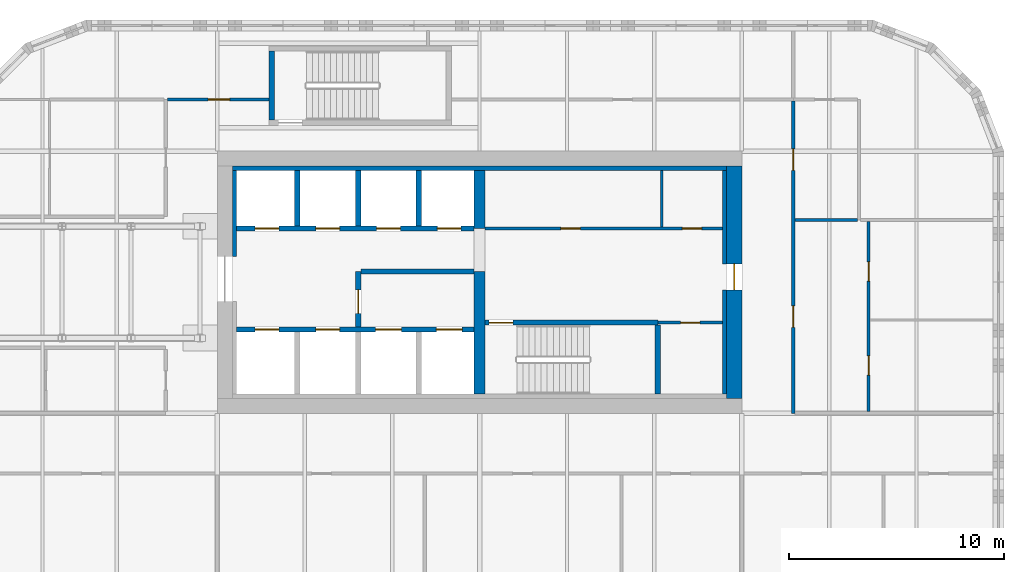
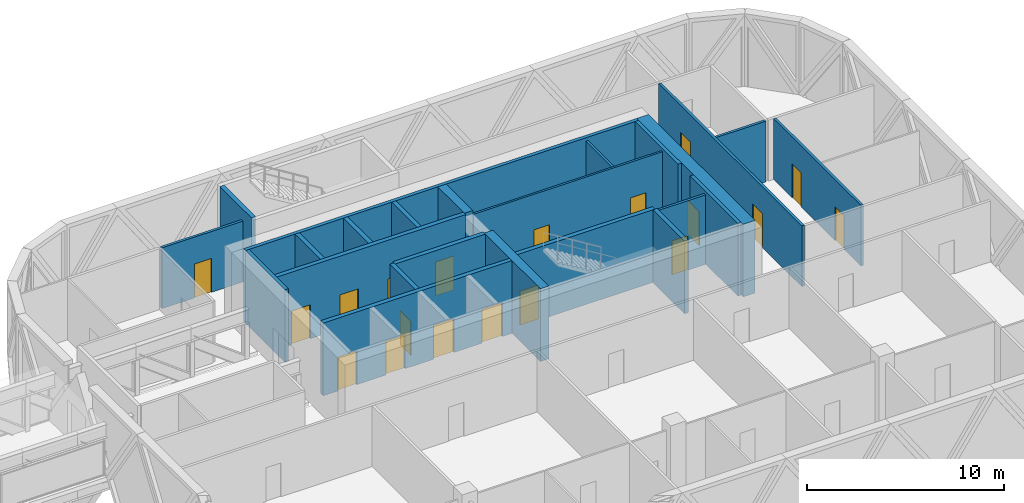
# One storey, part 24 of 30: 24 walls, 19 doors, 19 openings.
"""IFC4 building model written with IfcOpenShell, lengths in metres."""

from ifc_helpers import new_model, si_unit, direction, frame, frame_2d, origin, place, context, subcontext, project, spatial, rectangle, extrude, source, transform, mapped, material, layer, layer_set, type_object, element, fill, save


model = new_model("IFC4")

# Units and contexts
model_context = context("Model", 3, precision=1e-05, world=origin(), true_north=direction((0.0, 1.0)))
body_context = subcontext(model_context, "Body", "Model", "MODEL_VIEW")
ifc_project = project(units=[si_unit("LENGTHUNIT", "METRE"), si_unit("AREAUNIT", "SQUARE_METRE"), si_unit("VOLUMEUNIT", "CUBIC_METRE"), si_unit("PLANEANGLEUNIT", "RADIAN"), si_unit("MASSUNIT", "GRAM", prefix="KILO")], contexts=[model_context])

# Site, building, storey
site_placement = place(None, origin())
site = spatial("IfcSite", under=ifc_project, at=site_placement, CompositionType="ELEMENT")
building_placement = place(site_placement, origin())
building = spatial("IfcBuilding", under=site, at=building_placement, Name="Tessera Gate Towers", CompositionType="ELEMENT")
storey_placement = place(building_placement, frame((0.0, 0.0, 21.300048828125)))
storey = spatial("IfcBuildingStorey", under=building, at=storey_placement, Name="L04", CompositionType="ELEMENT", Elevation=21.300048828125)

# Wall, openings, doors
ifc_material_1 = material(Name="Concrete C40/50", Category="concrete")
ifc_layer_1 = layer(ifc_material_1, 0.25)
ifc_layer_set_1 = layer_set([ifc_layer_1], Name="CORE ENCLOSURE WALL 250")
wall_type_1 = type_object("IfcWallType", Name="CORE ENCLOSURE WALL 250", PredefinedType="SOLIDWALL", material=ifc_layer_set_1)
wall_1_placement = place(storey_placement, frame((98.5, 40.5, 0.0), z_axis=(0.0, 0.0, 1.0), x_axis=(1.0, 0.0, 0.0)))
wall_1 = element("IfcWall", 1, at=wall_1_placement, inside=storey, type_object=wall_type_1, Name="L04 shaft and stair enclosure wall", PredefinedType="SOLIDWALL", context=body_context, shape_type="SweptSolid", body=[
    extrude(rectangle(XDim=11.050048828125, YDim=0.25, at=frame_2d((5.52490234375, 0.0))), origin(), (0.0, 0.0, 1.0), 4.5),
])
shared_shape_1 = source(origin(), body_context, "Body", "SweptSolid", [
    extrude(rectangle(XDim=1.10009765625, YDim=2.10009765625, at=frame_2d((0.550048828125, 1.050048828125))), frame((0.0, 0.135009765625, 0.0), z_axis=(0.0, -1.0, 0.0), x_axis=(1.0, 0.0, 0.0)), (0.0, 0.0, 1.0), 0.27001953125),
])
opening_1_placement = place(wall_1_placement, frame((0.862548828125, 0.0, 0.0)))
opening_1 = element("IfcOpeningElement", 2, at=opening_1_placement, cuts=wall_1, Name="Opening LD-TL1", PredefinedType="OPENING", context=body_context, shape_type="MappedRepresentation", body=[
    mapped(shared_shape_1, transform((0.0, 0.0, 0.0), scale=1.0)),
])
opening_2_placement = place(wall_1_placement, frame((3.6875, 0.0, 0.0)))
opening_2 = element("IfcOpeningElement", 3, at=opening_2_placement, cuts=wall_1, Name="Opening LD-TL2", PredefinedType="OPENING", context=body_context, shape_type="MappedRepresentation", body=[
    mapped(shared_shape_1, transform((0.0, 0.0, 0.0), scale=1.0)),
])
shared_shape_2 = source(origin(), body_context, "Body", "SweptSolid", [
    extrude(rectangle(XDim=1.199951171875, YDim=2.10009765625, at=frame_2d((0.60009765625, 1.050048828125))), frame((0.0, 0.135009765625, 0.0), z_axis=(0.0, -1.0, 0.0), x_axis=(1.0, 0.0, 0.0)), (0.0, 0.0, 1.0), 0.27001953125),
])
opening_3_placement = place(wall_1_placement, frame((6.46240234375, 0.0, 0.0)))
opening_3 = element("IfcOpeningElement", 4, at=opening_3_placement, cuts=wall_1, Name="Opening LD-FF3", PredefinedType="OPENING", context=body_context, shape_type="MappedRepresentation", body=[
    mapped(shared_shape_2, transform((0.0, 0.0, 0.0), scale=1.0)),
])
opening_4_placement = place(wall_1_placement, frame((9.28759765625, 0.0, 0.0)))
opening_4 = element("IfcOpeningElement", 5, at=opening_4_placement, cuts=wall_1, Name="Opening LD-FF4", PredefinedType="OPENING", context=body_context, shape_type="MappedRepresentation", body=[
    mapped(shared_shape_2, transform((0.0, 0.0, 0.0), scale=1.0)),
])
ifc_material_2 = material(Name="Stainless steel", Category="steel")
door_type_1 = type_object("IfcDoorType", Name="CORE DOOR LD1200 1200x2100", OperationType="DOUBLE_DOOR_SLIDING", PredefinedType="DOOR", material=ifc_material_2)
shared_shape_3 = source(origin(), body_context, "Body", "SweptSolid", [
    extrude(rectangle(XDim=1.199951171875, YDim=2.10009765625, at=frame_2d((0.60009765625, 1.050048828125))), frame((0.0, 0.02490234375, 0.0), z_axis=(0.0, -1.0, 0.0), x_axis=(1.0, 0.0, 0.0)), (0.0, 0.0, 1.0), 0.050048828125),
])
door_1_placement = place(opening_3_placement, origin())
door_1 = element("IfcDoor", 6, at=door_1_placement, inside=storey, type_object=door_type_1, Name="Landing door FF3 L04", OperationType="DOUBLE_DOOR_SLIDING", OverallHeight=2.10009765625, OverallWidth=1.199951171875, PredefinedType="DOOR", context=body_context, shape_type="MappedRepresentation", body=[
    mapped(shared_shape_3, transform((0.0, 0.0, 0.0), scale=1.0)),
])
fill(opening_3, door_1)
door_2_placement = place(opening_4_placement, origin())
door_2 = element("IfcDoor", 7, at=door_2_placement, inside=storey, type_object=door_type_1, Name="Landing door FF4 L04", OperationType="DOUBLE_DOOR_SLIDING", OverallHeight=2.10009765625, OverallWidth=1.199951171875, PredefinedType="DOOR", context=body_context, shape_type="MappedRepresentation", body=[
    mapped(shared_shape_3, transform((0.0, 0.0, 0.0), scale=1.0)),
])
fill(opening_4, door_2)
ifc_material_3 = material(Name="Stainless steel", Category="steel")
door_type_2 = type_object("IfcDoorType", Name="CORE DOOR LD 1100x2100", OperationType="DOUBLE_DOOR_SLIDING", PredefinedType="DOOR", material=ifc_material_3)
shared_shape_4 = source(origin(), body_context, "Body", "SweptSolid", [
    extrude(rectangle(XDim=1.10009765625, YDim=2.10009765625, at=frame_2d((0.550048828125, 1.050048828125))), frame((0.0, 0.02490234375, 0.0), z_axis=(0.0, -1.0, 0.0), x_axis=(1.0, 0.0, 0.0)), (0.0, 0.0, 1.0), 0.050048828125),
])
door_3_placement = place(opening_1_placement, origin())
door_3 = element("IfcDoor", 8, at=door_3_placement, inside=storey, type_object=door_type_2, Name="Landing door TL1 L04", OperationType="DOUBLE_DOOR_SLIDING", OverallHeight=2.10009765625, OverallWidth=1.10009765625, PredefinedType="DOOR", context=body_context, shape_type="MappedRepresentation", body=[
    mapped(shared_shape_4, transform((0.0, 0.0, 0.0), scale=1.0)),
])
fill(opening_1, door_3)
door_4_placement = place(opening_2_placement, origin())
door_4 = element("IfcDoor", 9, at=door_4_placement, inside=storey, type_object=door_type_2, Name="Landing door TL2 L04", OperationType="DOUBLE_DOOR_SLIDING", OverallHeight=2.10009765625, OverallWidth=1.10009765625, PredefinedType="DOOR", context=body_context, shape_type="MappedRepresentation", body=[
    mapped(shared_shape_4, transform((0.0, 0.0, 0.0), scale=1.0)),
])
fill(opening_2, door_4)

wall_2_placement = place(storey_placement, frame((109.550048828125, 45.199951171875, 0.0), z_axis=(0.0, 0.0, 1.0), x_axis=(-1.0, 0.0, 0.0)))
wall_2 = element("IfcWall", 10, at=wall_2_placement, inside=storey, type_object=wall_type_1, Name="L04 shaft and stair enclosure wall", PredefinedType="SOLIDWALL", context=body_context, shape_type="SweptSolid", body=[
    extrude(rectangle(XDim=11.050048828125, YDim=0.25, at=frame_2d((5.52490234375, 0.0))), origin(), (0.0, 0.0, 1.0), 4.5),
])
opening_5_placement = place(wall_2_placement, frame((9.08740234375, 0.0, 0.0)))
opening_5 = element("IfcOpeningElement", 11, at=opening_5_placement, cuts=wall_2, Name="Opening LD-TL3", PredefinedType="OPENING", context=body_context, shape_type="MappedRepresentation", body=[
    mapped(shared_shape_1, transform((0.0, 0.0, 0.0), scale=1.0)),
])
opening_6_placement = place(wall_2_placement, frame((6.262451171875, 0.0, 0.0)))
opening_6 = element("IfcOpeningElement", 12, at=opening_6_placement, cuts=wall_2, Name="Opening LD-TL4", PredefinedType="OPENING", context=body_context, shape_type="MappedRepresentation", body=[
    mapped(shared_shape_1, transform((0.0, 0.0, 0.0), scale=1.0)),
])
opening_7_placement = place(wall_2_placement, frame((3.4375, 0.0, 0.0)))
opening_7 = element("IfcOpeningElement", 13, at=opening_7_placement, cuts=wall_2, Name="Opening LD-TL5", PredefinedType="OPENING", context=body_context, shape_type="MappedRepresentation", body=[
    mapped(shared_shape_1, transform((0.0, 0.0, 0.0), scale=1.0)),
])
opening_8_placement = place(wall_2_placement, frame((0.612548828125, 0.0, 0.0)))
opening_8 = element("IfcOpeningElement", 14, at=opening_8_placement, cuts=wall_2, Name="Opening LD-TL6", PredefinedType="OPENING", context=body_context, shape_type="MappedRepresentation", body=[
    mapped(shared_shape_1, transform((0.0, 0.0, 0.0), scale=1.0)),
])
door_5_placement = place(opening_5_placement, origin())
door_5 = element("IfcDoor", 15, at=door_5_placement, inside=storey, type_object=door_type_2, Name="Landing door TL3 L04", OperationType="DOUBLE_DOOR_SLIDING", OverallHeight=2.10009765625, OverallWidth=1.10009765625, PredefinedType="DOOR", context=body_context, shape_type="MappedRepresentation", body=[
    mapped(shared_shape_4, transform((0.0, 0.0, 0.0), scale=1.0)),
])
fill(opening_5, door_5)
door_6_placement = place(opening_6_placement, origin())
door_6 = element("IfcDoor", 16, at=door_6_placement, inside=storey, type_object=door_type_2, Name="Landing door TL4 L04", OperationType="DOUBLE_DOOR_SLIDING", OverallHeight=2.10009765625, OverallWidth=1.10009765625, PredefinedType="DOOR", context=body_context, shape_type="MappedRepresentation", body=[
    mapped(shared_shape_4, transform((0.0, 0.0, 0.0), scale=1.0)),
])
fill(opening_6, door_6)
door_7_placement = place(opening_7_placement, origin())
door_7 = element("IfcDoor", 17, at=door_7_placement, inside=storey, type_object=door_type_2, Name="Landing door TL5 L04", OperationType="DOUBLE_DOOR_SLIDING", OverallHeight=2.10009765625, OverallWidth=1.10009765625, PredefinedType="DOOR", context=body_context, shape_type="MappedRepresentation", body=[
    mapped(shared_shape_4, transform((0.0, 0.0, 0.0), scale=1.0)),
])
fill(opening_7, door_7)
door_8_placement = place(opening_8_placement, origin())
door_8 = element("IfcDoor", 18, at=door_8_placement, inside=storey, type_object=door_type_2, Name="Landing door TL6 L04", OperationType="DOUBLE_DOOR_SLIDING", OverallHeight=2.10009765625, OverallWidth=1.10009765625, PredefinedType="DOOR", context=body_context, shape_type="MappedRepresentation", body=[
    mapped(shared_shape_4, transform((0.0, 0.0, 0.0), scale=1.0)),
])
fill(opening_8, door_8)

# Wall, opening, door
wall_3_placement = place(storey_placement, frame((118.10009765625, 40.824951171875, 0.0), z_axis=(0.0, 0.0, 1.0), x_axis=(-1.0, 0.0, 0.0)))
wall_3 = element("IfcWall", 19, at=wall_3_placement, inside=storey, type_object=wall_type_1, Name="L04 shaft and stair enclosure wall", PredefinedType="SOLIDWALL", context=body_context, shape_type="SweptSolid", body=[
    extrude(rectangle(XDim=8.050048828125, YDim=0.25, at=frame_2d((4.02490234375, 0.0))), origin(), (0.0, 0.0, 1.0), 4.5),
])
opening_9_placement = place(wall_3_placement, frame((6.75, 0.0, 0.0)))
opening_9 = element("IfcOpeningElement", 20, at=opening_9_placement, cuts=wall_3, Name="Opening SD-ST6-1", PredefinedType="OPENING", context=body_context, shape_type="MappedRepresentation", body=[
    mapped(shared_shape_1, transform((0.0, 0.0, 0.0), scale=1.0)),
])
ifc_material_4 = material(Name="Hollow steel fire door", Category="steel")
door_type_3 = type_object("IfcDoorType", Name="CORE DOOR SD1100 1100x2100", OperationType="NOTDEFINED", PredefinedType="DOOR", material=ifc_material_4)
door_9_placement = place(opening_9_placement, origin())
door_9 = element("IfcDoor", 21, at=door_9_placement, inside=storey, type_object=door_type_3, Name="Stair door", OperationType="SINGLE_SWING_RIGHT", OverallHeight=2.10009765625, OverallWidth=1.10009765625, PredefinedType="DOOR", context=body_context, shape_type="MappedRepresentation", body=[
    mapped(shared_shape_4, transform((0.0, 0.0, 0.0), scale=1.0)),
])
fill(opening_9, door_9)

wall_4_placement = place(storey_placement, frame((104.14990234375, 43.199951171875, 0.0), z_axis=(0.0, 0.0, 1.0), x_axis=(0.0, -1.0, 0.0)))
wall_4 = element("IfcWall", 22, at=wall_4_placement, inside=storey, type_object=wall_type_1, Name="L04 shaft and stair enclosure wall", PredefinedType="SOLIDWALL", context=body_context, shape_type="SweptSolid", body=[
    extrude(rectangle(XDim=2.574951171875, YDim=0.25, at=frame_2d((1.28759765625, 0.0))), origin(), (0.0, 0.0, 1.0), 4.5),
])
opening_10_placement = place(wall_4_placement, frame((0.85009765625, 0.0, 0.0)))
opening_10 = element("IfcOpeningElement", 23, at=opening_10_placement, cuts=wall_4, Name="Opening FD-T2-05-03", PredefinedType="OPENING", context=body_context, shape_type="MappedRepresentation", body=[
    mapped(shared_shape_1, transform((0.0, 0.0, 0.0), scale=1.0)),
])
ifc_material_5 = material(Name="Hollow steel fire door", Category="steel")
door_type_4 = type_object("IfcDoorType", Name="CORE DOOR FD 1100x2100", OperationType="NOTDEFINED", PredefinedType="DOOR", material=ifc_material_5)
door_10_placement = place(opening_10_placement, origin())
door_10 = element("IfcDoor", 24, at=door_10_placement, inside=storey, type_object=door_type_4, Name="Fire-fighting lobby door", OperationType="SINGLE_SWING_RIGHT", OverallHeight=2.10009765625, OverallWidth=1.10009765625, PredefinedType="DOOR", context=body_context, shape_type="MappedRepresentation", body=[
    mapped(shared_shape_4, transform((0.0, 0.0, 0.0), scale=1.0)),
])
fill(opening_10, door_10)

# Walls
wall_5_placement = place(storey_placement, frame((104.27490234375, 43.199951171875, 0.0), z_axis=(0.0, 0.0, 1.0), x_axis=(1.0, 0.0, 0.0)))
element("IfcWall", 25, at=wall_5_placement, inside=storey, type_object=wall_type_1, Name="L04 shaft and stair enclosure wall", PredefinedType="SOLIDWALL", context=body_context, shape_type="SweptSolid", body=[
    extrude(rectangle(XDim=5.275146484375, YDim=0.25, at=frame_2d((2.6376953125, 0.0))), origin(), (0.0, 0.0, 1.0), 4.5),
])
wall_6_placement = place(storey_placement, frame((118.10009765625, 37.5, 0.0), z_axis=(0.0, 0.0, 1.0), x_axis=(0.0, 1.0, 0.0)))
element("IfcWall", 26, at=wall_6_placement, inside=storey, type_object=wall_type_1, Name="L04 shaft and stair enclosure wall", PredefinedType="SOLIDWALL", context=body_context, shape_type="SweptSolid", body=[
    extrude(rectangle(XDim=3.199951171875, YDim=0.25, at=frame_2d((1.60009765625, 0.0))), origin(), (0.0, 0.0, 1.0), 4.5),
])
for number, where, z_axis, x_axis, name in (
    (27, (101.324951171875, 45.324951171875, 0.0), (0.0, 0.0, 1.0), (0.0, 1.0, 0.0), "L04 shaft and stair enclosure wall"),
    (28, (104.14990234375, 45.324951171875, 0.0), (0.0, 0.0, 1.0), (0.0, 1.0, 0.0), "L04 shaft and stair enclosure wall"),
    (29, (106.97509765625, 45.324951171875, 0.0), (0.0, 0.0, 1.0), (0.0, 1.0, 0.0), "L04 shaft and stair enclosure wall"),
):
    element("IfcWall", number, at=place(storey_placement, frame(where, z_axis=z_axis, x_axis=x_axis)), inside=storey, type_object=wall_type_1, Name=name, PredefinedType="SOLIDWALL", context=body_context, shape_type="SweptSolid", body=[
        extrude(rectangle(XDim=2.574951171875, YDim=0.25, at=frame_2d((1.28759765625, 0.0))), origin(), (0.0, 0.0, 1.0), 4.5),
    ])
wall_7_placement = place(storey_placement, frame((100.125, 50.25, 0.0), z_axis=(0.0, 0.0, 1.0), x_axis=(0.0, 1.0, 0.0)))
element("IfcWall", 30, at=wall_7_placement, inside=storey, type_object=wall_type_1, Name="L04 ST7 enclosure wall", PredefinedType="SOLIDWALL", context=body_context, shape_type="SweptSolid", body=[
    extrude(rectangle(XDim=3.199951171875, YDim=0.25, at=frame_2d((1.60009765625, 0.0))), origin(), (0.0, 0.0, 1.0), 4.5),
])

# Wall, openings, doors
ifc_material_6 = material(Name="Gypsum board on steel studs", Category="steel")
ifc_layer_2 = layer(ifc_material_6, 0.1201171875)
ifc_layer_set_2 = layer_set([ifc_layer_2], Name="CORE PARTITION 120")
wall_type_2 = type_object("IfcWallType", Name="CORE PARTITION 120", PredefinedType="PARTITIONING", material=ifc_layer_set_2)
wall_8_placement = place(storey_placement, frame((110.050048828125, 45.199951171875, 0.0), z_axis=(0.0, 0.0, 1.0), x_axis=(1.0, 0.0, 0.0)))
wall_8 = element("IfcWall", 31, at=wall_8_placement, inside=storey, type_object=wall_type_2, Name="L04 core partition", PredefinedType="PARTITIONING", context=body_context, shape_type="SweptSolid", body=[
    extrude(rectangle(XDim=11.050048828125, YDim=0.1201171875, at=frame_2d((5.52490234375, 0.0))), origin(), (0.0, 0.0, 1.0), 4.300048828125),
])
shared_shape_5 = source(origin(), body_context, "Body", "SweptSolid", [
    extrude(rectangle(XDim=0.89990234375, YDim=2.10009765625, at=frame_2d((0.449951171875, 1.050048828125))), frame((0.0, 0.070068359375, 0.0), z_axis=(0.0, -1.0, 0.0), x_axis=(1.0, 0.0, 0.0)), (0.0, 0.0, 1.0), 0.14013671875),
])
opening_11_placement = place(wall_8_placement, frame((3.53759765625, 0.0, 0.0)))
opening_11 = element("IfcOpeningElement", 32, at=opening_11_placement, cuts=wall_8, Name="Opening RD-T2-05-04", PredefinedType="OPENING", context=body_context, shape_type="MappedRepresentation", body=[
    mapped(shared_shape_5, transform((0.0, 0.0, 0.0), scale=1.0)),
])
opening_12_placement = place(wall_8_placement, frame((9.1875, 0.0, 0.0)))
opening_12 = element("IfcOpeningElement", 33, at=opening_12_placement, cuts=wall_8, Name="Opening RD-T2-05-05", PredefinedType="OPENING", context=body_context, shape_type="MappedRepresentation", body=[
    mapped(shared_shape_5, transform((0.0, 0.0, 0.0), scale=1.0)),
])
ifc_material_7 = material(Name="Hollow steel fire door", Category="steel")
door_type_5 = type_object("IfcDoorType", Name="CORE DOOR RD 900x2100", OperationType="NOTDEFINED", PredefinedType="DOOR", material=ifc_material_7)
shared_shape_6 = source(origin(), body_context, "Body", "SweptSolid", [
    extrude(rectangle(XDim=0.89990234375, YDim=2.10009765625, at=frame_2d((0.449951171875, 1.050048828125))), frame((0.0, 0.02490234375, 0.0), z_axis=(0.0, -1.0, 0.0), x_axis=(1.0, 0.0, 0.0)), (0.0, 0.0, 1.0), 0.050048828125),
])
door_11_placement = place(opening_11_placement, origin())
door_11 = element("IfcDoor", 34, at=door_11_placement, inside=storey, type_object=door_type_5, Name="Core room door", OperationType="SINGLE_SWING_LEFT", OverallHeight=2.10009765625, OverallWidth=0.89990234375, PredefinedType="DOOR", context=body_context, shape_type="MappedRepresentation", body=[
    mapped(shared_shape_6, transform((0.0, 0.0, 0.0), scale=1.0)),
])
fill(opening_11, door_11)
door_12_placement = place(opening_12_placement, origin())
door_12 = element("IfcDoor", 35, at=door_12_placement, inside=storey, type_object=door_type_5, Name="Core room door", OperationType="SINGLE_SWING_RIGHT", OverallHeight=2.10009765625, OverallWidth=0.89990234375, PredefinedType="DOOR", context=body_context, shape_type="MappedRepresentation", body=[
    mapped(shared_shape_6, transform((0.0, 0.0, 0.0), scale=1.0)),
])
fill(opening_12, door_12)

# Wall
wall_9_placement = place(storey_placement, frame((118.27490234375, 45.260009765625, 0.0), z_axis=(0.0, 0.0, 1.0), x_axis=(0.0, 1.0, 0.0)))
element("IfcWall", 36, at=wall_9_placement, inside=storey, type_object=wall_type_2, Name="L04 core partition", PredefinedType="PARTITIONING", context=body_context, shape_type="SweptSolid", body=[
    extrude(rectangle(XDim=2.639892578125, YDim=0.1201171875, at=frame_2d((1.31982421875, 0.0))), origin(), (0.0, 0.0, 1.0), 4.300048828125),
])

# Wall, opening, door
ifc_material_8 = material(Name="Concrete C60/75", Category="concrete")
ifc_layer_3 = layer(ifc_material_8, 0.699951171875)
ifc_layer_set_3 = layer_set([ifc_layer_3], Name="CORE SHEAR WALL 700 C60/75")
wall_type_3 = type_object("IfcWallType", Name="CORE SHEAR WALL 700 C60/75", PredefinedType="SHEAR", material=ifc_layer_set_3)
wall_10_placement = place(storey_placement, frame((121.64990234375, 48.10009765625, 0.0), z_axis=(0.0, 0.0, 1.0), x_axis=(0.0, -1.0, 0.0)))
wall_10 = element("IfcWall", 37, at=wall_10_placement, inside=storey, type_object=wall_type_3, Name="Core wall E L04", PredefinedType="SHEAR", context=body_context, shape_type="SweptSolid", body=[
    extrude(rectangle(XDim=10.800048828125, YDim=0.699951171875, at=frame_2d((5.39990234375, 0.0))), origin(), (0.0, 0.0, 1.0), 4.5),
])
shared_shape_7 = source(origin(), body_context, "Body", "SweptSolid", [
    extrude(rectangle(XDim=1.199951171875, YDim=2.10009765625, at=frame_2d((0.60009765625, 1.050048828125))), frame((0.0, 0.35986328125, 0.0), z_axis=(0.0, -1.0, 0.0), x_axis=(1.0, 0.0, 0.0)), (0.0, 0.0, 1.0), 0.719970703125),
])
opening_13_placement = place(wall_10_placement, frame((4.550048828125, 0.0, 0.0)))
opening_13 = element("IfcOpeningElement", 38, at=opening_13_placement, cuts=wall_10, Name="Opening ED-T2-05-02", PredefinedType="OPENING", context=body_context, shape_type="MappedRepresentation", body=[
    mapped(shared_shape_7, transform((0.0, 0.0, 0.0), scale=1.0)),
])
ifc_material_9 = material(Name="Hollow steel fire door", Category="steel")
door_type_6 = type_object("IfcDoorType", Name="CORE DOOR ED 1200x2100", OperationType="NOTDEFINED", PredefinedType="DOOR", material=ifc_material_9)
door_13_placement = place(opening_13_placement, origin())
door_13 = element("IfcDoor", 39, at=door_13_placement, inside=storey, type_object=door_type_6, Name="Core exit door", OperationType="SINGLE_SWING_LEFT", OverallHeight=2.10009765625, OverallWidth=1.199951171875, PredefinedType="DOOR", context=body_context, shape_type="MappedRepresentation", body=[
    mapped(shared_shape_3, transform((0.0, 0.0, 0.0), scale=1.0)),
])
fill(opening_13, door_13)

# Walls
ifc_material_10 = material(Name="Concrete C60/75", Category="concrete")
ifc_layer_4 = layer(ifc_material_10, 0.5)
ifc_layer_set_4 = layer_set([ifc_layer_4], Name="CORE SPINE WALL 500 C60/75")
wall_type_4 = type_object("IfcWallType", Name="CORE SPINE WALL 500 C60/75", PredefinedType="SHEAR", material=ifc_layer_set_4)
wall_11_placement = place(storey_placement, frame((109.800048828125, 37.5, 0.0), z_axis=(0.0, 0.0, 1.0), x_axis=(0.0, 1.0, 0.0)))
element("IfcWall", 40, at=wall_11_placement, inside=storey, type_object=wall_type_4, Name="Core wall spine L04", PredefinedType="SHEAR", context=body_context, shape_type="SweptSolid", body=[
    extrude(rectangle(XDim=5.699951171875, YDim=0.5, at=frame_2d((2.85009765625, 0.0))), origin(), (0.0, 0.0, 1.0), 4.5),
])
wall_12_placement = place(storey_placement, frame((109.800048828125, 45.199951171875, 0.0), z_axis=(0.0, 0.0, 1.0), x_axis=(0.0, 1.0, 0.0)))
element("IfcWall", 41, at=wall_12_placement, inside=storey, type_object=wall_type_4, Name="Core wall spine L04", PredefinedType="SHEAR", context=body_context, shape_type="SweptSolid", body=[
    extrude(rectangle(XDim=2.699951171875, YDim=0.5, at=frame_2d((1.35009765625, 0.0))), origin(), (0.0, 0.0, 1.0), 4.5),
])
ifc_material_11 = material(Name="Concrete C60/75", Category="concrete")
ifc_layer_5 = layer(ifc_material_11, 0.199951171875)
ifc_layer_set_5 = layer_set([ifc_layer_5], Name="CORE WALL THICKENING 200")
wall_type_5 = type_object("IfcWallType", Name="CORE WALL THICKENING 200", PredefinedType="SOLIDWALL", material=ifc_layer_set_5)
wall_13_placement = place(storey_placement, frame((98.300048828125, 48.0, 0.0), z_axis=(0.0, 0.0, 1.0), x_axis=(1.0, 0.0, 0.0)))
element("IfcWall", 42, at=wall_13_placement, inside=storey, type_object=wall_type_5, Name="Core wall thickening N L04", PredefinedType="SOLIDWALL", context=body_context, shape_type="SweptSolid", body=[
    extrude(rectangle(XDim=23.0, YDim=0.199951171875, at=frame_2d((11.5, 0.0))), origin(), (0.0, 0.0, 1.0), 4.5),
])
wall_14_placement = place(storey_placement, frame((98.39990234375, 43.89990234375, 0.0), z_axis=(0.0, 0.0, 1.0), x_axis=(0.0, 1.0, 0.0)))
element("IfcWall", 43, at=wall_14_placement, inside=storey, type_object=wall_type_5, Name="Core wall thickening W L04", PredefinedType="SOLIDWALL", context=body_context, shape_type="SweptSolid", body=[
    extrude(rectangle(XDim=4.0, YDim=0.199951171875, at=frame_2d((2.0, 0.0))), origin(), (0.0, 0.0, 1.0), 4.5),
])
wall_15_placement = place(storey_placement, frame((121.199951171875, 37.5, 0.0), z_axis=(0.0, 0.0, 1.0), x_axis=(0.0, 1.0, 0.0)))
element("IfcWall", 44, at=wall_15_placement, inside=storey, type_object=wall_type_5, Name="Core wall thickening E L04", PredefinedType="SOLIDWALL", context=body_context, shape_type="SweptSolid", body=[
    extrude(rectangle(XDim=4.85009765625, YDim=0.199951171875, at=frame_2d((2.425048828125, 0.0))), origin(), (0.0, 0.0, 1.0), 4.5),
])
wall_16_placement = place(storey_placement, frame((121.199951171875, 43.550048828125, 0.0), z_axis=(0.0, 0.0, 1.0), x_axis=(0.0, 1.0, 0.0)))
element("IfcWall", 45, at=wall_16_placement, inside=storey, type_object=wall_type_5, Name="Core wall thickening E L04", PredefinedType="SOLIDWALL", context=body_context, shape_type="SweptSolid", body=[
    extrude(rectangle(XDim=4.349853515625, YDim=0.199951171875, at=frame_2d((2.1748046875, 0.0))), origin(), (0.0, 0.0, 1.0), 4.5),
])

# Wall, openings, doors
ifc_material_12 = material(Name="Gypsum board on steel studs, mineral wool", Category="steel")
ifc_layer_6 = layer(ifc_material_12, 0.14990234375)
ifc_layer_set_6 = layer_set([ifc_layer_6], Name="CORRIDOR WALL 150")
wall_type_6 = type_object("IfcWallType", Name="CORRIDOR WALL 150", PredefinedType="PARTITIONING", material=ifc_layer_set_6)
wall_17_placement = place(storey_placement, frame((124.39990234375, 51.1240234375, 0.0), z_axis=(0.0, 0.0, 1.0), x_axis=(0.0, -1.0, 0.0)))
wall_17 = element("IfcWall", 46, at=wall_17_placement, inside=storey, type_object=wall_type_6, Name="T2-L04-PW-025", PredefinedType="PARTITIONING", context=body_context, shape_type="SweptSolid", body=[
    extrude(rectangle(XDim=14.52392578125, YDim=0.14990234375, at=frame_2d((7.261962890625, 0.0))), origin(), (0.0, 0.0, 1.0), 3.766845703125),
])
shared_shape_8 = source(origin(), body_context, "Body", "SweptSolid", [
    extrude(rectangle(XDim=1.0, YDim=2.10009765625, at=frame_2d((0.5, 1.050048828125))), frame((0.0, 0.0849609375, 0.0), z_axis=(0.0, -1.0, 0.0), x_axis=(1.0, 0.0, 0.0)), (0.0, 0.0, 1.0), 0.169921875),
])
opening_14_placement = place(wall_17_placement, frame((2.222900390625, 0.0, 0.0)))
opening_14 = element("IfcOpeningElement", 47, at=opening_14_placement, cuts=wall_17, Name="Opening D2100FD60-B02-02", PredefinedType="OPENING", context=body_context, shape_type="MappedRepresentation", body=[
    mapped(shared_shape_8, transform((0.0, 0.0, 0.0), scale=1.0)),
])
opening_15_placement = place(wall_17_placement, frame((9.52392578125, 0.0, 0.0)))
opening_15 = element("IfcOpeningElement", 48, at=opening_15_placement, cuts=wall_17, Name="Opening D2100FD60-B02-03", PredefinedType="OPENING", context=body_context, shape_type="MappedRepresentation", body=[
    mapped(shared_shape_8, transform((0.0, 0.0, 0.0), scale=1.0)),
])
ifc_material_13 = material(Name="Timber door leaf in steel frame", Category="steel")
door_type_7 = type_object("IfcDoorType", Name="TENANCY ENTRANCE DOOR 1000 FD60", OperationType="NOTDEFINED", PredefinedType="DOOR", material=ifc_material_13)
shared_shape_9 = source(origin(), body_context, "Body", "SweptSolid", [
    extrude(rectangle(XDim=1.0, YDim=2.10009765625, at=frame_2d((0.5, 1.050048828125))), frame((0.0, 0.02490234375, 0.0), z_axis=(0.0, -1.0, 0.0), x_axis=(1.0, 0.0, 0.0)), (0.0, 0.0, 1.0), 0.050048828125),
])
door_14_placement = place(opening_14_placement, origin())
door_14 = element("IfcDoor", 49, at=door_14_placement, inside=storey, type_object=door_type_7, Name="T2-L04-PD-014", OperationType="SINGLE_SWING_RIGHT", OverallHeight=2.10009765625, OverallWidth=1.0, PredefinedType="DOOR", context=body_context, shape_type="MappedRepresentation", body=[
    mapped(shared_shape_9, transform((0.0, 0.0, 0.0), scale=1.0)),
])
fill(opening_14, door_14)
door_15_placement = place(opening_15_placement, origin())
door_15 = element("IfcDoor", 50, at=door_15_placement, inside=storey, type_object=door_type_7, Name="T2-L04-PD-025", OperationType="SINGLE_SWING_RIGHT", OverallHeight=2.10009765625, OverallWidth=1.0, PredefinedType="DOOR", context=body_context, shape_type="MappedRepresentation", body=[
    mapped(shared_shape_9, transform((0.0, 0.0, 0.0), scale=1.0)),
])
fill(opening_15, door_15)

# Wall, opening, door
wall_18_placement = place(storey_placement, frame((95.27587890625, 51.199951171875, 0.0), z_axis=(0.0, 0.0, 1.0), x_axis=(1.0, 0.0, 0.0)))
wall_18 = element("IfcWall", 51, at=wall_18_placement, inside=storey, type_object=wall_type_6, Name="T2-L04-PW-040", PredefinedType="PARTITIONING", context=body_context, shape_type="SweptSolid", body=[
    extrude(rectangle(XDim=4.72412109375, YDim=0.14990234375, at=frame_2d((2.362060546875, 0.0))), origin(), (0.0, 0.0, 1.0), 3.766845703125),
])
opening_16_placement = place(wall_18_placement, frame((1.89990234375, 0.0, 0.0)))
opening_16 = element("IfcOpeningElement", 52, at=opening_16_placement, cuts=wall_18, Name="Opening D2100FD60-B02-01", PredefinedType="OPENING", context=body_context, shape_type="MappedRepresentation", body=[
    mapped(shared_shape_8, transform((0.0, 0.0, 0.0), scale=1.0)),
])
door_16_placement = place(opening_16_placement, origin())
door_16 = element("IfcDoor", 53, at=door_16_placement, inside=storey, type_object=door_type_7, Name="T2-L04-PD-007", OperationType="SINGLE_SWING_LEFT", OverallHeight=2.10009765625, OverallWidth=1.0, PredefinedType="DOOR", context=body_context, shape_type="MappedRepresentation", body=[
    mapped(shared_shape_9, transform((0.0, 0.0, 0.0), scale=1.0)),
])
fill(opening_16, door_16)

ifc_material_14 = material(Name="Gypsum board on steel studs", Category="steel")
ifc_layer_7 = layer(ifc_material_14, 0.14990234375)
ifc_layer_set_7 = layer_set([ifc_layer_7], Name="SERVICE ROOM WALL 150")
wall_type_7 = type_object("IfcWallType", Name="SERVICE ROOM WALL 150", PredefinedType="PARTITIONING", material=ifc_layer_set_7)
wall_19_placement = place(storey_placement, frame((121.10009765625, 40.824951171875, 0.0), z_axis=(0.0, 0.0, 1.0), x_axis=(-1.0, 0.0, 0.0)))
wall_19 = element("IfcWall", 54, at=wall_19_placement, inside=storey, type_object=wall_type_7, Name="L04 service room wall", PredefinedType="PARTITIONING", context=body_context, shape_type="SweptSolid", body=[
    extrude(rectangle(XDim=3.0, YDim=0.14990234375, at=frame_2d((1.5, 0.0))), origin(), (0.0, 0.0, 1.0), 4.300048828125),
])
shared_shape_10 = source(origin(), body_context, "Body", "SweptSolid", [
    extrude(rectangle(XDim=0.89990234375, YDim=2.10009765625, at=frame_2d((0.449951171875, 1.050048828125))), frame((0.0, 0.0849609375, 0.0), z_axis=(0.0, -1.0, 0.0), x_axis=(1.0, 0.0, 0.0)), (0.0, 0.0, 1.0), 0.169921875),
])
opening_17_placement = place(wall_19_placement, frame((1.050048828125, 0.0, 0.0)))
opening_17 = element("IfcOpeningElement", 55, at=opening_17_placement, cuts=wall_19, Name="Opening RD-T2-05-06", PredefinedType="OPENING", context=body_context, shape_type="MappedRepresentation", body=[
    mapped(shared_shape_10, transform((0.0, 0.0, 0.0), scale=1.0)),
])
door_17_placement = place(opening_17_placement, origin())
door_17 = element("IfcDoor", 56, at=door_17_placement, inside=storey, type_object=door_type_5, Name="Core room door", OperationType="SINGLE_SWING_RIGHT", OverallHeight=2.10009765625, OverallWidth=0.89990234375, PredefinedType="DOOR", context=body_context, shape_type="MappedRepresentation", body=[
    mapped(shared_shape_6, transform((0.0, 0.0, 0.0), scale=1.0)),
])
fill(opening_17, door_17)

# Wall, openings, doors
ifc_material_15 = material(Name="Gypsum board on steel studs, mineral wool", Category="steel")
ifc_layer_8 = layer(ifc_material_15, 0.14990234375)
ifc_layer_set_8 = layer_set([ifc_layer_8], Name="TENANCY WALL 150")
wall_type_8 = type_object("IfcWallType", Name="TENANCY WALL 150", PredefinedType="PARTITIONING", material=ifc_layer_set_8)
wall_20_placement = place(storey_placement, frame((127.89990234375, 45.52392578125, 0.0), z_axis=(0.0, 0.0, 1.0), x_axis=(0.0, -1.0, 0.0)))
wall_20 = element("IfcWall", 57, at=wall_20_placement, inside=storey, type_object=wall_type_8, Name="T2-L04-PW-029", PredefinedType="PARTITIONING", context=body_context, shape_type="SweptSolid", body=[
    extrude(rectangle(XDim=8.847900390625, YDim=0.14990234375, at=frame_2d((4.423828125, 0.0))), origin(), (0.0, 0.0, 1.0), 3.766845703125),
])
opening_18_placement = place(wall_20_placement, frame((6.248046875, 0.0, 0.0)))
opening_18 = element("IfcOpeningElement", 58, at=opening_18_placement, cuts=wall_20, Name="Opening D190-B02-02", PredefinedType="OPENING", context=body_context, shape_type="MappedRepresentation", body=[
    mapped(shared_shape_10, transform((0.0, 0.0, 0.0), scale=1.0)),
])
opening_19_placement = place(wall_20_placement, frame((1.876220703125, 0.0, 0.0)))
opening_19 = element("IfcOpeningElement", 59, at=opening_19_placement, cuts=wall_20, Name="Opening D190-B02-03", PredefinedType="OPENING", context=body_context, shape_type="MappedRepresentation", body=[
    mapped(shared_shape_10, transform((0.0, 0.0, 0.0), scale=1.0)),
])
ifc_material_16 = material(Name="Timber door leaf in steel frame", Category="steel")
door_type_8 = type_object("IfcDoorType", Name="INTERNAL DOOR 900 NOT RATED", OperationType="NOTDEFINED", PredefinedType="DOOR", material=ifc_material_16)
door_18_placement = place(opening_18_placement, origin())
door_18 = element("IfcDoor", 60, at=door_18_placement, inside=storey, type_object=door_type_8, Name="T2-L04-PD-004", OperationType="SINGLE_SWING_RIGHT", OverallHeight=2.10009765625, OverallWidth=0.89990234375, PredefinedType="DOOR", context=body_context, shape_type="MappedRepresentation", body=[
    mapped(shared_shape_6, transform((0.0, 0.0, 0.0), scale=1.0)),
])
fill(opening_18, door_18)
door_19_placement = place(opening_19_placement, origin())
door_19 = element("IfcDoor", 61, at=door_19_placement, inside=storey, type_object=door_type_8, Name="T2-L04-PD-005", OperationType="SINGLE_SWING_RIGHT", OverallHeight=2.10009765625, OverallWidth=0.89990234375, PredefinedType="DOOR", context=body_context, shape_type="MappedRepresentation", body=[
    mapped(shared_shape_6, transform((0.0, 0.0, 0.0), scale=1.0)),
])
fill(opening_19, door_19)

# Wall
wall_21_placement = place(storey_placement, frame((124.47607421875, 45.60009765625, 0.0), z_axis=(0.0, 0.0, 1.0), x_axis=(1.0, 0.0, 0.0)))
element("IfcWall", 62, at=wall_21_placement, inside=storey, type_object=wall_type_8, Name="T2-L04-PW-032", PredefinedType="PARTITIONING", context=body_context, shape_type="SweptSolid", body=[
    extrude(rectangle(XDim=2.89794921875, YDim=0.14990234375, at=frame_2d((1.448974609375, 0.0))), origin(), (0.0, 0.0, 1.0), 3.766845703125),
])

save(model, "model.ifc")
